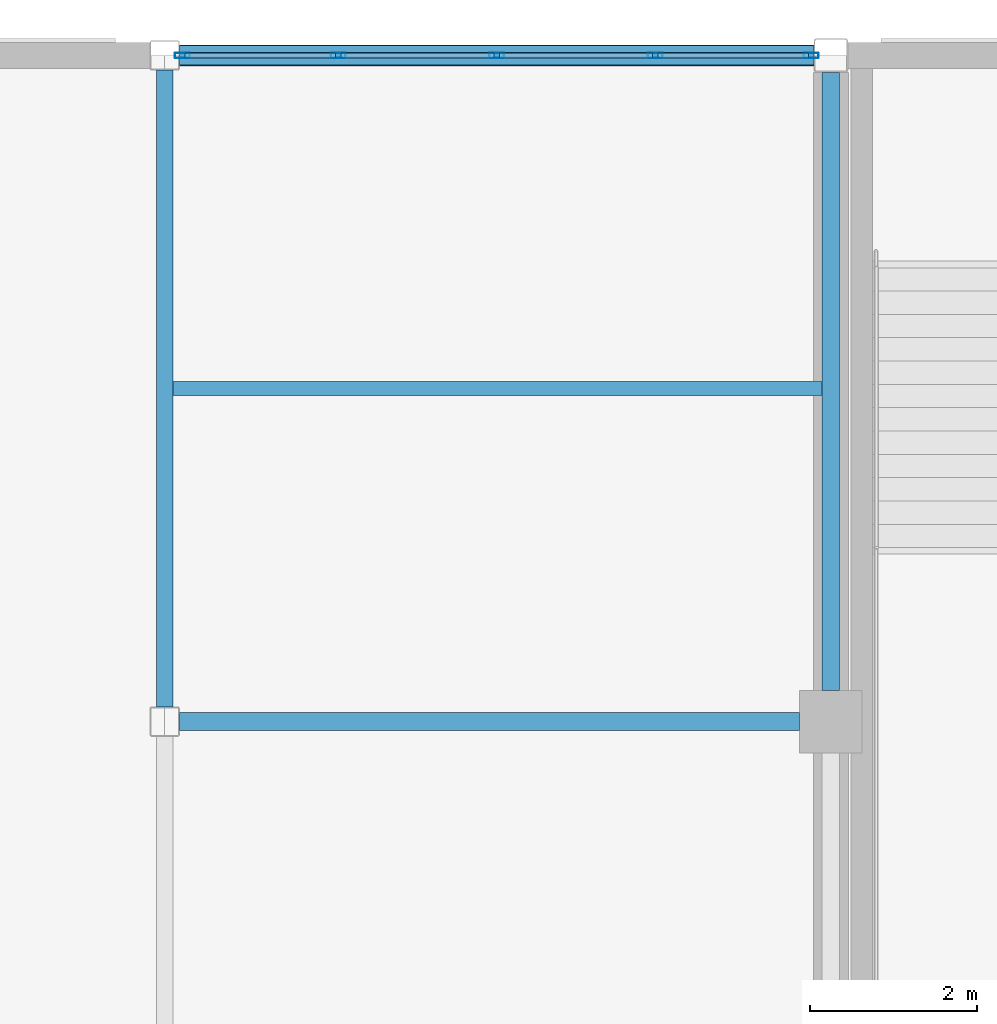
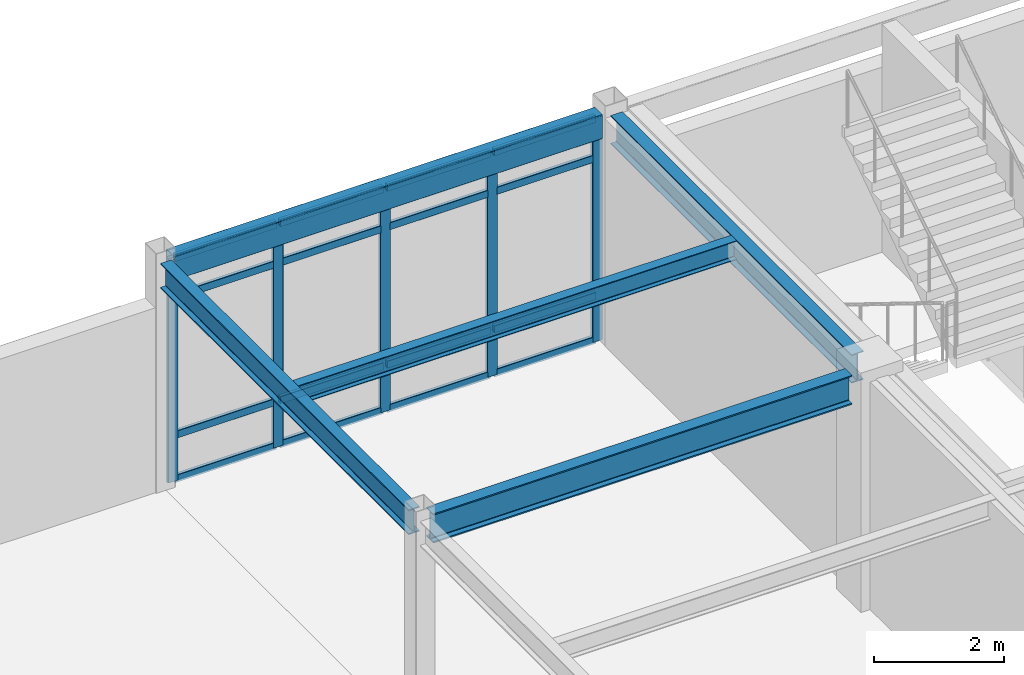
# One storey, part 61 of 111: 21 members, 5 beams, 1 element without a shape of its own.
"""IFC4 building model written with IfcOpenShell, lengths in metres."""

from ifc_helpers import new_model, si_unit, direction, frame, origin, origin_2d, place, context, subcontext, project, spatial, hollow_rectangle, i_section, extrude, material, material_profile, profile_set, type_object, element, aggregate, save


model = new_model("IFC4")

# Units and contexts
model_context = context("Model", 3, precision=1e-05, world=origin(), true_north=direction((0.0, 1.0)))
body_context = subcontext(model_context, "Body", "Model", "MODEL_VIEW")
ifc_project = project(units=[si_unit("LENGTHUNIT", "METRE"), si_unit("AREAUNIT", "SQUARE_METRE"), si_unit("VOLUMEUNIT", "CUBIC_METRE"), si_unit("PLANEANGLEUNIT", "RADIAN"), si_unit("MASSUNIT", "GRAM", prefix="KILO")], contexts=[model_context])

# Site, building, storey
site_placement = place(None, origin())
site = spatial("IfcSite", under=ifc_project, at=site_placement, CompositionType="ELEMENT")
building_placement = place(site_placement, origin())
building = spatial("IfcBuilding", under=site, at=building_placement, Name="Solmirada Galleria", CompositionType="ELEMENT")
storey_placement = place(building_placement, frame((0.0, 0.0, 10.39990234375)))
storey = spatial("IfcBuildingStorey", under=building, at=storey_placement, Name="L02", CompositionType="ELEMENT", Elevation=10.39990234375)

# Beams
ifc_material_1 = material(Name="Steel S355 / ASTM A992 Grade 50", Category="steel")
ifc_material_profile_1 = material_profile(ifc_material_1, i_section(OverallWidth=0.194091796875, OverallDepth=0.468994140625, WebThickness=0.0126953125, FlangeThickness=0.0205078125, FilletRadius=0.013916015625, at=origin_2d()), Name="W18X71")
ifc_profile_set_1 = profile_set([ifc_material_profile_1], Name="Steel S355 / ASTM A992 Grade 50")
beam_type_1 = type_object("IfcBeamType", Name="BM-GIRD-W18B", PredefinedType="BEAM", material=ifc_profile_set_1)
beam_1_placement = place(storey_placement, frame((120.0, 112.177978515625, 4.065673828125), z_axis=(0.0, 1.0, 0.0), x_axis=(-1.0, 0.0, 0.0)))
element("IfcBeam", 1, at=beam_1_placement, inside=storey, type_object=beam_type_1, Name="Primary girder L03 Y(120, 112..120)", PredefinedType="BEAM", context=body_context, shape_type="SweptSolid", body=[
    extrude(i_section(OverallWidth=0.194091796875, OverallDepth=0.468994140625, WebThickness=0.0126953125, FlangeThickness=0.0205078125, FilletRadius=0.013916015625, at=origin_2d()), origin(), (0.0, 0.0, 1.0), 7.64404296875),
])
ifc_material_profile_2 = material_profile(ifc_material_1, i_section(OverallWidth=0.214111328125, OverallDepth=0.549072265625, WebThickness=0.0146484375, FlangeThickness=0.023681640625, FilletRadius=0.014892578125, at=origin_2d()), Name="W21X93")
ifc_profile_set_2 = profile_set([ifc_material_profile_2], Name="Steel S355 / ASTM A992 Grade 50")
beam_type_2 = type_object("IfcBeamType", Name="BM-GIRD-W21A", PredefinedType="BEAM", material=ifc_profile_set_2)
beam_2_placement = place(storey_placement, frame((120.177978515625, 112.0, 4.025634765625), z_axis=(1.0, 0.0, 0.0), x_axis=(0.0, 1.0, 0.0)))
element("IfcBeam", 2, at=beam_2_placement, inside=storey, type_object=beam_type_2, Name="Primary beam L03 X(120..128, 112)", PredefinedType="BEAM", context=body_context, shape_type="SweptSolid", body=[
    extrude(i_section(OverallWidth=0.214111328125, OverallDepth=0.549072265625, WebThickness=0.0146484375, FlangeThickness=0.023681640625, FilletRadius=0.014892578125, at=origin_2d()), origin(), (0.0, 0.0, 1.0), 7.447021484375),
])
ifc_material_profile_3 = material_profile(ifc_material_1, i_section(OverallWidth=0.2099609375, OverallDepth=0.537109375, WebThickness=0.010986328125, FlangeThickness=0.017333984375, FilletRadius=0.014892578125, at=origin_2d()), Name="W21X68")
ifc_profile_set_3 = profile_set([ifc_material_profile_3], Name="Steel S355 / ASTM A992 Grade 50")
beam_type_3 = type_object("IfcBeamType", Name="BM-GIRD-W21B", PredefinedType="BEAM", material=ifc_profile_set_3)
beam_3_placement = place(storey_placement, frame((128.0, 112.375, 4.031494140625), z_axis=(0.0, 1.0, 0.0), x_axis=(-1.0, 0.0, 0.0)))
element("IfcBeam", 3, at=beam_3_placement, inside=storey, type_object=beam_type_3, Name="Primary girder L03 Y(128, 112..120)", PredefinedType="BEAM", context=body_context, shape_type="SweptSolid", body=[
    extrude(i_section(OverallWidth=0.2099609375, OverallDepth=0.537109375, WebThickness=0.010986328125, FlangeThickness=0.017333984375, FilletRadius=0.014892578125, at=origin_2d()), origin(), (0.0, 0.0, 1.0), 7.422119140625),
])
ifc_material_profile_4 = material_profile(ifc_material_1, i_section(OverallWidth=0.172119140625, OverallDepth=0.35791015625, WebThickness=0.0078125, FlangeThickness=0.01318359375, FilletRadius=0.011962890625, at=origin_2d()), Name="W14X38")
ifc_profile_set_4 = profile_set([ifc_material_profile_4], Name="Steel S355 / ASTM A992 Grade 50")
beam_type_4 = type_object("IfcBeamType", Name="BM-JST-W14A", PredefinedType="JOIST", material=ifc_profile_set_4)
beam_4_placement = place(storey_placement, frame((120.096923828125, 116.0, 4.12109375), z_axis=(1.0, 0.0, 0.0), x_axis=(0.0, 1.0, 0.0)))
element("IfcBeam", 4, at=beam_4_placement, inside=storey, type_object=beam_type_4, Name="Composite floor joist L03 (120..128, 116.0)", PredefinedType="JOIST", context=body_context, shape_type="SweptSolid", body=[
    extrude(i_section(OverallWidth=0.172119140625, OverallDepth=0.35791015625, WebThickness=0.0078125, FlangeThickness=0.01318359375, FilletRadius=0.011962890625, at=origin_2d()), origin(), (0.0, 0.0, 1.0), 7.798095703125),
])
ifc_material_2 = material(Name="Steel S355 / ASTM A500 Grade C", Category="steel")
ifc_material_profile_5 = material_profile(ifc_material_2, hollow_rectangle(XDim=0.25390625, YDim=0.45703125, WallThickness=0.01171875, InnerFilletRadius=0.01171875, OuterFilletRadius=0.023681640625, at=origin_2d()), Name="HSS18X10X1/2")
ifc_profile_set_5 = profile_set([ifc_material_profile_5], Name="Steel S355 / ASTM A500 Grade C")
beam_type_5 = type_object("IfcBeamType", Name="BM-SPAND-W18", PredefinedType="SPANDREL", material=ifc_profile_set_5)
beam_5_placement = place(storey_placement, frame((120.177978515625, 120.0, 4.071533203125), z_axis=(1.0, 0.0, 0.0), x_axis=(0.0, 1.0, 0.0)))
element("IfcBeam", 5, at=beam_5_placement, inside=storey, type_object=beam_type_5, Name="Primary beam L03 X(120..128, 120)", PredefinedType="SPANDREL", context=body_context, shape_type="SweptSolid", body=[
    extrude(hollow_rectangle(XDim=0.25390625, YDim=0.45703125, WallThickness=0.01171875, InnerFilletRadius=0.01171875, OuterFilletRadius=0.023681640625, at=origin_2d()), origin(), (0.0, 0.0, 1.0), 7.619140625),
])

# Curtain wall, members
ifc_material_3 = material(Name="Impact-resistant low-E double glazing", Category="glass")
curtain_wall_type = type_object("IfcCurtainWallType", Name="CW-FZ2-L02-B4-L076", PredefinedType="NOTDEFINED", material=ifc_material_3)
curtain_wall_placement = place(storey_placement, origin())
curtain_wall = element("IfcCurtainWall", 6, at=curtain_wall_placement, inside=storey, type_object=curtain_wall_type, Name="Terrace and arcade storefront CW-L02-096", PredefinedType="NOTDEFINED")
ifc_material_4 = material(Name="Anodised aluminium framing", Category="aluminium")
ifc_material_profile_6 = material_profile(ifc_material_4, hollow_rectangle(XDim=0.06494140625, YDim=0.179931640625, WallThickness=0.00390625, InnerFilletRadius=0.00390625, OuterFilletRadius=0.008056640625, at=origin_2d()), Name="ALU-MULL-180X65")
ifc_profile_set_6 = profile_set([ifc_material_profile_6], Name="Anodised aluminium framing")
member_type_1 = type_object("IfcMemberType", Name="CW-MULL-180", PredefinedType="MULLION", material=ifc_profile_set_6)
member_1_placement = place(storey_placement, frame((120.21240234375, 120.0, 0.0), z_axis=(0.0, 0.0, 1.0), x_axis=(0.0, 1.0, 0.0)))
member_1 = element("IfcMember", 7, at=member_1_placement, type_object=member_type_1, Name="CW24 mullion 1", PredefinedType="MULLION", context=body_context, shape_type="SweptSolid", body=[
    extrude(hollow_rectangle(XDim=0.06494140625, YDim=0.179931640625, WallThickness=0.00390625, InnerFilletRadius=0.00390625, OuterFilletRadius=0.008056640625, at=origin_2d()), origin(), (0.0, 0.0, 1.0), 4.22021484375),
])
member_2_placement = place(storey_placement, frame((122.083740234375, 120.0, 0.0), z_axis=(0.0, 0.0, 1.0), x_axis=(0.0, 1.0, 0.0)))
member_2 = element("IfcMember", 8, at=member_2_placement, type_object=member_type_1, Name="CW24 mullion 2", PredefinedType="MULLION", context=body_context, shape_type="SweptSolid", body=[
    extrude(hollow_rectangle(XDim=0.06494140625, YDim=0.179931640625, WallThickness=0.00390625, InnerFilletRadius=0.00390625, OuterFilletRadius=0.008056640625, at=origin_2d()), origin(), (0.0, 0.0, 1.0), 4.22021484375),
])
member_3_placement = place(storey_placement, frame((123.987548828125, 120.0, 0.0), z_axis=(0.0, 0.0, 1.0), x_axis=(0.0, 1.0, 0.0)))
member_3 = element("IfcMember", 9, at=member_3_placement, type_object=member_type_1, Name="CW24 mullion 3", PredefinedType="MULLION", context=body_context, shape_type="SweptSolid", body=[
    extrude(hollow_rectangle(XDim=0.06494140625, YDim=0.179931640625, WallThickness=0.00390625, InnerFilletRadius=0.00390625, OuterFilletRadius=0.008056640625, at=origin_2d()), origin(), (0.0, 0.0, 1.0), 4.22021484375),
])
member_4_placement = place(storey_placement, frame((125.891357421875, 120.0, 0.0), z_axis=(0.0, 0.0, 1.0), x_axis=(0.0, 1.0, 0.0)))
member_4 = element("IfcMember", 10, at=member_4_placement, type_object=member_type_1, Name="CW24 mullion 4", PredefinedType="MULLION", context=body_context, shape_type="SweptSolid", body=[
    extrude(hollow_rectangle(XDim=0.06494140625, YDim=0.179931640625, WallThickness=0.00390625, InnerFilletRadius=0.00390625, OuterFilletRadius=0.008056640625, at=origin_2d()), origin(), (0.0, 0.0, 1.0), 4.22021484375),
])
member_5_placement = place(storey_placement, frame((127.762451171875, 120.0, 0.0), z_axis=(0.0, 0.0, 1.0), x_axis=(0.0, 1.0, 0.0)))
member_5 = element("IfcMember", 11, at=member_5_placement, type_object=member_type_1, Name="CW24 mullion 5", PredefinedType="MULLION", context=body_context, shape_type="SweptSolid", body=[
    extrude(hollow_rectangle(XDim=0.06494140625, YDim=0.179931640625, WallThickness=0.00390625, InnerFilletRadius=0.00390625, OuterFilletRadius=0.008056640625, at=origin_2d()), origin(), (0.0, 0.0, 1.0), 4.22021484375),
])
ifc_material_profile_7 = material_profile(ifc_material_4, hollow_rectangle(XDim=0.06494140625, YDim=0.139892578125, WallThickness=0.00341796875, InnerFilletRadius=0.00341796875, OuterFilletRadius=0.007080078125, at=origin_2d()), Name="ALU-TRAN-140X65")
ifc_profile_set_7 = profile_set([ifc_material_profile_7], Name="Anodised aluminium framing")
member_type_2 = type_object("IfcMemberType", Name="CW-TRAN-140", PredefinedType="USERDEFINED", material=ifc_profile_set_7)
member_6_placement = place(storey_placement, frame((120.2451171875, 120.0, 0.03271484375), z_axis=(1.0, 0.0, 0.0), x_axis=(0.0, 1.0, 0.0)))
member_6 = element("IfcMember", 12, at=member_6_placement, type_object=member_type_2, Name="CW24 transom 1.1", ObjectType="TRANSOM", PredefinedType="USERDEFINED", context=body_context, shape_type="SweptSolid", body=[
    extrude(hollow_rectangle(XDim=0.06494140625, YDim=0.139892578125, WallThickness=0.00341796875, InnerFilletRadius=0.00341796875, OuterFilletRadius=0.007080078125, at=origin_2d()), origin(), (0.0, 0.0, 1.0), 1.80615234375),
])
member_7_placement = place(storey_placement, frame((120.2451171875, 120.0, 0.860107421875), z_axis=(1.0, 0.0, 0.0), x_axis=(0.0, 1.0, 0.0)))
member_7 = element("IfcMember", 13, at=member_7_placement, type_object=member_type_2, Name="CW24 transom 1.2", ObjectType="TRANSOM", PredefinedType="USERDEFINED", context=body_context, shape_type="SweptSolid", body=[
    extrude(hollow_rectangle(XDim=0.06494140625, YDim=0.139892578125, WallThickness=0.00341796875, InnerFilletRadius=0.00341796875, OuterFilletRadius=0.007080078125, at=origin_2d()), origin(), (0.0, 0.0, 1.0), 1.80615234375),
])
member_8_placement = place(storey_placement, frame((120.2451171875, 120.0, 3.4501953125), z_axis=(1.0, 0.0, 0.0), x_axis=(0.0, 1.0, 0.0)))
member_8 = element("IfcMember", 14, at=member_8_placement, type_object=member_type_2, Name="CW24 transom 1.3", ObjectType="TRANSOM", PredefinedType="USERDEFINED", context=body_context, shape_type="SweptSolid", body=[
    extrude(hollow_rectangle(XDim=0.06494140625, YDim=0.139892578125, WallThickness=0.00341796875, InnerFilletRadius=0.00341796875, OuterFilletRadius=0.007080078125, at=origin_2d()), origin(), (0.0, 0.0, 1.0), 1.80615234375),
])
member_9_placement = place(storey_placement, frame((120.2451171875, 120.0, 4.1875), z_axis=(1.0, 0.0, 0.0), x_axis=(0.0, 1.0, 0.0)))
member_9 = element("IfcMember", 15, at=member_9_placement, type_object=member_type_2, Name="CW24 transom 1.4", ObjectType="TRANSOM", PredefinedType="USERDEFINED", context=body_context, shape_type="SweptSolid", body=[
    extrude(hollow_rectangle(XDim=0.06494140625, YDim=0.139892578125, WallThickness=0.00341796875, InnerFilletRadius=0.00341796875, OuterFilletRadius=0.007080078125, at=origin_2d()), origin(), (0.0, 0.0, 1.0), 1.80615234375),
])
member_10_placement = place(storey_placement, frame((122.1162109375, 120.0, 0.03271484375), z_axis=(1.0, 0.0, 0.0), x_axis=(0.0, 1.0, 0.0)))
member_10 = element("IfcMember", 16, at=member_10_placement, type_object=member_type_2, Name="CW24 transom 2.1", ObjectType="TRANSOM", PredefinedType="USERDEFINED", context=body_context, shape_type="SweptSolid", body=[
    extrude(hollow_rectangle(XDim=0.06494140625, YDim=0.139892578125, WallThickness=0.00341796875, InnerFilletRadius=0.00341796875, OuterFilletRadius=0.007080078125, at=origin_2d()), origin(), (0.0, 0.0, 1.0), 1.8388671875),
])
member_11_placement = place(storey_placement, frame((122.1162109375, 120.0, 0.860107421875), z_axis=(1.0, 0.0, 0.0), x_axis=(0.0, 1.0, 0.0)))
member_11 = element("IfcMember", 17, at=member_11_placement, type_object=member_type_2, Name="CW24 transom 2.2", ObjectType="TRANSOM", PredefinedType="USERDEFINED", context=body_context, shape_type="SweptSolid", body=[
    extrude(hollow_rectangle(XDim=0.06494140625, YDim=0.139892578125, WallThickness=0.00341796875, InnerFilletRadius=0.00341796875, OuterFilletRadius=0.007080078125, at=origin_2d()), origin(), (0.0, 0.0, 1.0), 1.8388671875),
])
member_12_placement = place(storey_placement, frame((122.1162109375, 120.0, 3.4501953125), z_axis=(1.0, 0.0, 0.0), x_axis=(0.0, 1.0, 0.0)))
member_12 = element("IfcMember", 18, at=member_12_placement, type_object=member_type_2, Name="CW24 transom 2.3", ObjectType="TRANSOM", PredefinedType="USERDEFINED", context=body_context, shape_type="SweptSolid", body=[
    extrude(hollow_rectangle(XDim=0.06494140625, YDim=0.139892578125, WallThickness=0.00341796875, InnerFilletRadius=0.00341796875, OuterFilletRadius=0.007080078125, at=origin_2d()), origin(), (0.0, 0.0, 1.0), 1.8388671875),
])
member_13_placement = place(storey_placement, frame((122.1162109375, 120.0, 4.1875), z_axis=(1.0, 0.0, 0.0), x_axis=(0.0, 1.0, 0.0)))
member_13 = element("IfcMember", 19, at=member_13_placement, type_object=member_type_2, Name="CW24 transom 2.4", ObjectType="TRANSOM", PredefinedType="USERDEFINED", context=body_context, shape_type="SweptSolid", body=[
    extrude(hollow_rectangle(XDim=0.06494140625, YDim=0.139892578125, WallThickness=0.00341796875, InnerFilletRadius=0.00341796875, OuterFilletRadius=0.007080078125, at=origin_2d()), origin(), (0.0, 0.0, 1.0), 1.8388671875),
])
member_14_placement = place(storey_placement, frame((124.02001953125, 120.0, 0.03271484375), z_axis=(1.0, 0.0, 0.0), x_axis=(0.0, 1.0, 0.0)))
member_14 = element("IfcMember", 20, at=member_14_placement, type_object=member_type_2, Name="CW24 transom 3.1", ObjectType="TRANSOM", PredefinedType="USERDEFINED", context=body_context, shape_type="SweptSolid", body=[
    extrude(hollow_rectangle(XDim=0.06494140625, YDim=0.139892578125, WallThickness=0.00341796875, InnerFilletRadius=0.00341796875, OuterFilletRadius=0.007080078125, at=origin_2d()), origin(), (0.0, 0.0, 1.0), 1.838623046875),
])
member_15_placement = place(storey_placement, frame((124.02001953125, 120.0, 0.860107421875), z_axis=(1.0, 0.0, 0.0), x_axis=(0.0, 1.0, 0.0)))
member_15 = element("IfcMember", 21, at=member_15_placement, type_object=member_type_2, Name="CW24 transom 3.2", ObjectType="TRANSOM", PredefinedType="USERDEFINED", context=body_context, shape_type="SweptSolid", body=[
    extrude(hollow_rectangle(XDim=0.06494140625, YDim=0.139892578125, WallThickness=0.00341796875, InnerFilletRadius=0.00341796875, OuterFilletRadius=0.007080078125, at=origin_2d()), origin(), (0.0, 0.0, 1.0), 1.838623046875),
])
member_16_placement = place(storey_placement, frame((124.02001953125, 120.0, 3.4501953125), z_axis=(1.0, 0.0, 0.0), x_axis=(0.0, 1.0, 0.0)))
member_16 = element("IfcMember", 22, at=member_16_placement, type_object=member_type_2, Name="CW24 transom 3.3", ObjectType="TRANSOM", PredefinedType="USERDEFINED", context=body_context, shape_type="SweptSolid", body=[
    extrude(hollow_rectangle(XDim=0.06494140625, YDim=0.139892578125, WallThickness=0.00341796875, InnerFilletRadius=0.00341796875, OuterFilletRadius=0.007080078125, at=origin_2d()), origin(), (0.0, 0.0, 1.0), 1.838623046875),
])
member_17_placement = place(storey_placement, frame((124.02001953125, 120.0, 4.1875), z_axis=(1.0, 0.0, 0.0), x_axis=(0.0, 1.0, 0.0)))
member_17 = element("IfcMember", 23, at=member_17_placement, type_object=member_type_2, Name="CW24 transom 3.4", ObjectType="TRANSOM", PredefinedType="USERDEFINED", context=body_context, shape_type="SweptSolid", body=[
    extrude(hollow_rectangle(XDim=0.06494140625, YDim=0.139892578125, WallThickness=0.00341796875, InnerFilletRadius=0.00341796875, OuterFilletRadius=0.007080078125, at=origin_2d()), origin(), (0.0, 0.0, 1.0), 1.838623046875),
])
member_18_placement = place(storey_placement, frame((125.923828125, 120.0, 0.03271484375), z_axis=(1.0, 0.0, 0.0), x_axis=(0.0, 1.0, 0.0)))
member_18 = element("IfcMember", 24, at=member_18_placement, type_object=member_type_2, Name="CW24 transom 4.1", ObjectType="TRANSOM", PredefinedType="USERDEFINED", context=body_context, shape_type="SweptSolid", body=[
    extrude(hollow_rectangle(XDim=0.06494140625, YDim=0.139892578125, WallThickness=0.00341796875, InnerFilletRadius=0.00341796875, OuterFilletRadius=0.007080078125, at=origin_2d()), origin(), (0.0, 0.0, 1.0), 1.80615234375),
])
member_19_placement = place(storey_placement, frame((125.923828125, 120.0, 0.860107421875), z_axis=(1.0, 0.0, 0.0), x_axis=(0.0, 1.0, 0.0)))
member_19 = element("IfcMember", 25, at=member_19_placement, type_object=member_type_2, Name="CW24 transom 4.2", ObjectType="TRANSOM", PredefinedType="USERDEFINED", context=body_context, shape_type="SweptSolid", body=[
    extrude(hollow_rectangle(XDim=0.06494140625, YDim=0.139892578125, WallThickness=0.00341796875, InnerFilletRadius=0.00341796875, OuterFilletRadius=0.007080078125, at=origin_2d()), origin(), (0.0, 0.0, 1.0), 1.80615234375),
])
member_20_placement = place(storey_placement, frame((125.923828125, 120.0, 3.4501953125), z_axis=(1.0, 0.0, 0.0), x_axis=(0.0, 1.0, 0.0)))
member_20 = element("IfcMember", 26, at=member_20_placement, type_object=member_type_2, Name="CW24 transom 4.3", ObjectType="TRANSOM", PredefinedType="USERDEFINED", context=body_context, shape_type="SweptSolid", body=[
    extrude(hollow_rectangle(XDim=0.06494140625, YDim=0.139892578125, WallThickness=0.00341796875, InnerFilletRadius=0.00341796875, OuterFilletRadius=0.007080078125, at=origin_2d()), origin(), (0.0, 0.0, 1.0), 1.80615234375),
])
member_21_placement = place(storey_placement, frame((125.923828125, 120.0, 4.1875), z_axis=(1.0, 0.0, 0.0), x_axis=(0.0, 1.0, 0.0)))
member_21 = element("IfcMember", 27, at=member_21_placement, type_object=member_type_2, Name="CW24 transom 4.4", ObjectType="TRANSOM", PredefinedType="USERDEFINED", context=body_context, shape_type="SweptSolid", body=[
    extrude(hollow_rectangle(XDim=0.06494140625, YDim=0.139892578125, WallThickness=0.00341796875, InnerFilletRadius=0.00341796875, OuterFilletRadius=0.007080078125, at=origin_2d()), origin(), (0.0, 0.0, 1.0), 1.80615234375),
])
aggregate(curtain_wall, [member_1, member_2, member_3, member_4, member_5, member_6, member_7, member_8, member_9, member_10, member_11, member_12, member_13, member_14, member_15, member_16, member_17, member_18, member_19, member_20, member_21])

save(model, "model.ifc")
